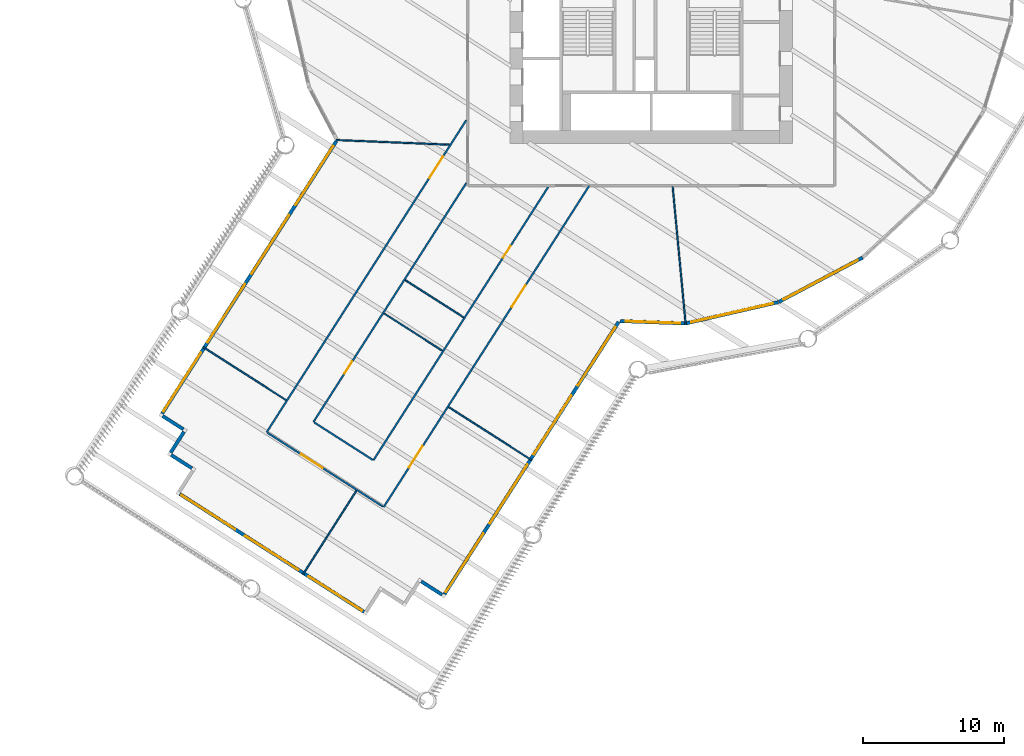
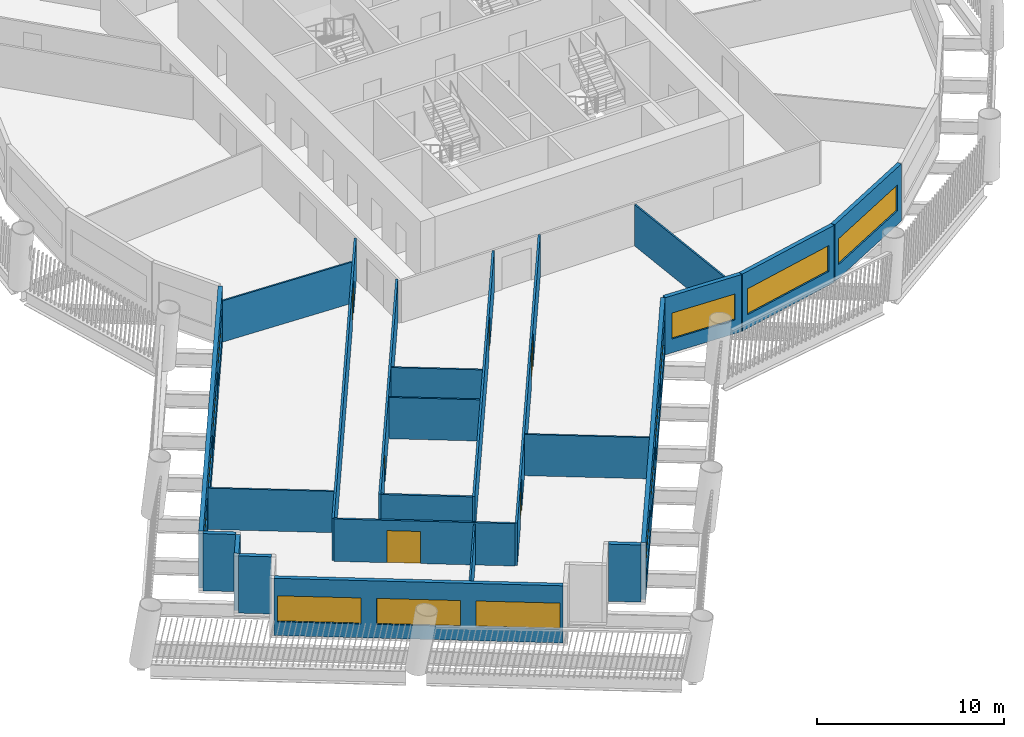
# One storey, part 3 of 15: 23 walls, 14 windows, 6 doors, 20 openings.
"""IFC4 building model written with IfcOpenShell, lengths in metres."""

from ifc_helpers import new_model, si_unit, direction, frame, frame_2d, origin, place, context, subcontext, project, spatial, rectangle, extrude, material, layer, layer_set, type_object, element, fill, save


model = new_model("IFC4")

# Units and contexts
model_context = context("Model", 3, precision=1e-05, world=origin(), true_north=direction((0.0, 1.0)))
body_context = subcontext(model_context, "Body", "Model", "MODEL_VIEW")
ifc_project = project(units=[si_unit("LENGTHUNIT", "METRE"), si_unit("AREAUNIT", "SQUARE_METRE"), si_unit("VOLUMEUNIT", "CUBIC_METRE"), si_unit("PLANEANGLEUNIT", "RADIAN"), si_unit("MASSUNIT", "GRAM", prefix="KILO")], contexts=[model_context])

# Site, building, storey
site_placement = place(None, origin())
site = spatial("IfcSite", under=ifc_project, at=site_placement, CompositionType="ELEMENT")
building_placement = place(site_placement, origin())
building = spatial("IfcBuilding", under=site, at=building_placement, Name="Tarsis Ring Headquarters", CompositionType="ELEMENT")
storey_placement = place(building_placement, frame((0.0, 0.0, 67.300048828125)))
storey = spatial("IfcBuildingStorey", under=building, at=storey_placement, Name="L14", CompositionType="ELEMENT", Elevation=67.300048828125)

# Walls
ifc_material_1 = material(Name="Gypsum board on steel studs", Category="steel")
ifc_layer_1 = layer(ifc_material_1, 0.10009765625)
ifc_layer_set_1 = layer_set([ifc_layer_1], Name="FL partition 100 unrated")
wall_type_1 = type_object("IfcWallType", Name="FL partition 100 unrated", PredefinedType="PARTITIONING", material=ifc_layer_set_1)
wall_1_placement = place(storey_placement, frame((1.51904296875, -16.069580078125, 0.0), z_axis=(0.0, 0.0, 1.0), x_axis=(0.09410416872, -0.995562356374, 0.0)))
element("IfcWall", 1, at=wall_1_placement, inside=storey, type_object=wall_type_1, Name="Partition PW3", PredefinedType="PARTITIONING", context=body_context, shape_type="SweptSolid", body=[
    extrude(rectangle(XDim=9.806640625, YDim=0.10009765625, at=frame_2d((4.9033203125, 0.0))), origin(), (0.0, 0.0, 1.0), 2.699951171875),
])
wall_2_placement = place(storey_placement, frame((-22.319091796875, -12.765625, 0.0), z_axis=(0.0, 0.0, 1.0), x_axis=(0.999159522008, -0.04099084753, 0.0)))
element("IfcWall", 2, at=wall_2_placement, inside=storey, type_object=wall_type_1, Name="Partition PW3", PredefinedType="PARTITIONING", context=body_context, shape_type="SweptSolid", body=[
    extrude(rectangle(XDim=8.016845703125, YDim=0.10009765625, at=frame_2d((4.00830078125, 0.0))), origin(), (0.0, 0.0, 1.0), 2.699951171875),
])
wall_3_placement = place(storey_placement, frame((-24.662353515625, -43.51904296875, 0.0), z_axis=(0.0, 0.0, 1.0), x_axis=(0.538767067435, 0.842454774482, 0.0)))
element("IfcWall", 3, at=wall_3_placement, inside=storey, type_object=wall_type_1, Name="Partition PW3", PredefinedType="PARTITIONING", context=body_context, shape_type="SweptSolid", body=[
    extrude(rectangle(XDim=7.01025390625, YDim=0.10009765625, at=frame_2d((3.505126953125, 0.0))), origin(), (0.0, 0.0, 1.0), 2.699951171875),
])
wall_4_placement = place(storey_placement, frame((-14.3408203125, -31.685791015625, 0.0), z_axis=(0.0, 0.0, 1.0), x_axis=(0.842460553226, -0.53875803127, 0.0)))
element("IfcWall", 4, at=wall_4_placement, inside=storey, type_object=wall_type_1, Name="Partition PW3", PredefinedType="PARTITIONING", context=body_context, shape_type="SweptSolid", body=[
    extrude(rectangle(XDim=6.9599609375, YDim=0.10009765625, at=frame_2d((3.47998046875, 0.0))), origin(), (0.0, 0.0, 1.0), 2.699951171875),
])
wall_5_placement = place(storey_placement, frame((-31.731201171875, -27.436767578125, 0.0), z_axis=(0.0, 0.0, 1.0), x_axis=(0.842450371121, -0.538773952784, 0.0)))
element("IfcWall", 5, at=wall_5_placement, inside=storey, type_object=wall_type_1, Name="Partition PW3", PredefinedType="PARTITIONING", context=body_context, shape_type="SweptSolid", body=[
    extrude(rectangle(XDim=6.959716796875, YDim=0.10009765625, at=frame_2d((3.47998046875, 0.0))), origin(), (0.0, 0.0, 1.0), 2.699951171875),
])
for number, where, z_axis, x_axis, name in (
    (6, (-17.4189453125, -22.68994140625, 0.0), (0.0, 0.0, 1.0), (0.842455045604, -0.538766643489, 0.0), "Partition PW3"),
    (7, (-18.927490234375, -25.048828125, 0.0), (0.0, 0.0, 1.0), (0.842455045604, -0.538766643489, 0.0), "Partition PW3"),
):
    element("IfcWall", number, at=place(storey_placement, frame(where, z_axis=z_axis, x_axis=x_axis)), inside=storey, type_object=wall_type_1, Name=name, PredefinedType="PARTITIONING", context=body_context, shape_type="SweptSolid", body=[
        extrude(rectangle(XDim=4.89990234375, YDim=0.10009765625, at=frame_2d((2.449951171875, 0.0))), origin(), (0.0, 0.0, 1.0), 2.699951171875),
    ])

# Wall, openings, doors
ifc_layer_2 = layer(ifc_material_1, 0.125)
ifc_layer_set_2 = layer_set([ifc_layer_2], Name="FL partition 125 EI 60 H2770")
wall_type_2 = type_object("IfcWallType", Name="FL partition 125 EI 60 H2770", PredefinedType="PARTITIONING", material=ifc_layer_set_2)
wall_6_placement = place(storey_placement, frame((-18.9521484375, -38.7666015625, 0.0), z_axis=(0.0, 0.0, 1.0), x_axis=(0.538769874421, 0.84245297935, 0.0)))
wall_6 = element("IfcWall", 8, at=wall_6_placement, inside=storey, type_object=wall_type_2, Name="Partition PW1", PredefinedType="PARTITIONING", context=body_context, shape_type="SweptSolid", body=[
    extrude(rectangle(XDim=27.024169921875, YDim=0.125, at=frame_2d((13.51220703125, 0.0))), origin(), (0.0, 0.0, 1.0), 2.77001953125),
])
opening_1_placement = place(wall_6_placement, frame((16.8349609375, 0.0, 0.0)))
opening_1 = element("IfcOpeningElement", 9, at=opening_1_placement, cuts=wall_6, Name="Opening D14.09", PredefinedType="OPENING", context=body_context, shape_type="SweptSolid", body=[
    extrude(rectangle(XDim=1.800048828125, YDim=2.10009765625, at=frame_2d((0.89990234375, 1.050048828125))), frame((0.0, 0.072509765625, 0.0), z_axis=(0.0, -1.0, 0.0), x_axis=(1.0, 0.0, 0.0)), (0.0, 0.0, 1.0), 0.14501953125),
])
opening_2_placement = place(wall_6_placement, frame((3.32275390625, 0.0, 0.0)))
opening_2 = element("IfcOpeningElement", 10, at=opening_2_placement, cuts=wall_6, Name="Opening D14.10", PredefinedType="OPENING", context=body_context, shape_type="SweptSolid", body=[
    extrude(rectangle(XDim=1.800048828125, YDim=2.10009765625, at=frame_2d((0.89990234375, 1.050048828125))), frame((0.0, 0.072509765625, 0.0), z_axis=(0.0, -1.0, 0.0), x_axis=(1.0, 0.0, 0.0)), (0.0, 0.0, 1.0), 0.14501953125),
])
ifc_material_2 = material(Name="Fire-rated timber door leaf in steel frame", Category="steel")
door_type_1 = type_object("IfcDoorType", Name="FL door FD60-1800", OperationType="DOUBLE_DOOR_SINGLE_SWING", PredefinedType="DOOR", material=ifc_material_2)
door_1_placement = place(opening_1_placement, origin())
door_1 = element("IfcDoor", 11, at=door_1_placement, inside=storey, type_object=door_type_1, Name="Door D14.09", OperationType="DOUBLE_DOOR_SINGLE_SWING", OverallHeight=2.10009765625, OverallWidth=1.800048828125, PredefinedType="DOOR", context=body_context, shape_type="SweptSolid", body=[
    extrude(rectangle(XDim=1.800048828125, YDim=2.10009765625, at=frame_2d((0.89990234375, 1.050048828125))), frame((0.0, 0.02490234375, 0.0), z_axis=(0.0, -1.0, 0.0), x_axis=(1.0, 0.0, 0.0)), (0.0, 0.0, 1.0), 0.050048828125),
])
fill(opening_1, door_1)
door_2_placement = place(opening_2_placement, origin())
door_2 = element("IfcDoor", 12, at=door_2_placement, inside=storey, type_object=door_type_1, Name="Door D14.10", OperationType="DOUBLE_DOOR_SINGLE_SWING", OverallHeight=2.10009765625, OverallWidth=1.800048828125, PredefinedType="DOOR", context=body_context, shape_type="SweptSolid", body=[
    extrude(rectangle(XDim=1.800048828125, YDim=2.10009765625, at=frame_2d((0.89990234375, 1.050048828125))), frame((0.0, 0.02490234375, 0.0), z_axis=(0.0, -1.0, 0.0), x_axis=(1.0, 0.0, 0.0)), (0.0, 0.0, 1.0), 0.050048828125),
])
fill(opening_2, door_2)

# Wall, opening, door
wall_7_placement = place(storey_placement, frame((-27.241943359375, -33.465087890625, 0.0), z_axis=(0.0, 0.0, 1.0), x_axis=(0.538773847217, 0.842450438634, 0.0)))
wall_7 = element("IfcWall", 13, at=wall_7_placement, inside=storey, type_object=wall_type_2, Name="Partition PW1", PredefinedType="PARTITIONING", context=body_context, shape_type="SweptSolid", body=[
    extrude(rectangle(XDim=26.244140625, YDim=0.125, at=frame_2d((13.1220703125, 0.0))), origin(), (0.0, 0.0, 1.0), 2.77001953125),
])
opening_3_placement = place(wall_7_placement, frame((21.38916015625, 0.0, 0.0)))
opening_3 = element("IfcOpeningElement", 14, at=opening_3_placement, cuts=wall_7, Name="Opening D14.12", PredefinedType="OPENING", context=body_context, shape_type="SweptSolid", body=[
    extrude(rectangle(XDim=1.800048828125, YDim=2.10009765625, at=frame_2d((0.89990234375, 1.050048828125))), frame((0.0, 0.072509765625, 0.0), z_axis=(0.0, -1.0, 0.0), x_axis=(1.0, 0.0, 0.0)), (0.0, 0.0, 1.0), 0.14501953125),
])
door_3_placement = place(opening_3_placement, origin())
door_3 = element("IfcDoor", 15, at=door_3_placement, inside=storey, type_object=door_type_1, Name="Door D14.12", OperationType="DOUBLE_DOOR_SINGLE_SWING", OverallHeight=2.10009765625, OverallWidth=1.800048828125, PredefinedType="DOOR", context=body_context, shape_type="SweptSolid", body=[
    extrude(rectangle(XDim=1.800048828125, YDim=2.10009765625, at=frame_2d((0.89990234375, 1.050048828125))), frame((0.0, 0.02490234375, 0.0), z_axis=(0.0, -1.0, 0.0), x_axis=(1.0, 0.0, 0.0)), (0.0, 0.0, 1.0), 0.050048828125),
])
fill(opening_3, door_3)

wall_8_placement = place(storey_placement, frame((-19.68115234375, -35.451904296875, 0.0), z_axis=(0.0, 0.0, 1.0), x_axis=(0.538773411112, 0.842450717537, 0.0)))
wall_8 = element("IfcWall", 16, at=wall_8_placement, inside=storey, type_object=wall_type_2, Name="Partition PW1", PredefinedType="PARTITIONING", context=body_context, shape_type="SweptSolid", body=[
    extrude(rectangle(XDim=22.98974609375, YDim=0.125, at=frame_2d((11.494873046875, 0.0))), origin(), (0.0, 0.0, 1.0), 2.77001953125),
])
opening_4_placement = place(wall_8_placement, frame((17.0302734375, 0.0, 0.0)))
opening_4 = element("IfcOpeningElement", 17, at=opening_4_placement, cuts=wall_8, Name="Opening D14.17", PredefinedType="OPENING", context=body_context, shape_type="SweptSolid", body=[
    extrude(rectangle(XDim=1.0, YDim=2.10009765625, at=frame_2d((0.5, 1.050048828125))), frame((0.0, 0.072509765625, 0.0), z_axis=(0.0, -1.0, 0.0), x_axis=(1.0, 0.0, 0.0)), (0.0, 0.0, 1.0), 0.14501953125),
])
door_type_2 = type_object("IfcDoorType", Name="FL door FD60-1000", OperationType="NOTDEFINED", PredefinedType="DOOR", material=ifc_material_2)
door_4_placement = place(opening_4_placement, origin())
door_4 = element("IfcDoor", 18, at=door_4_placement, inside=storey, type_object=door_type_2, Name="Door D14.17", OperationType="SINGLE_SWING_LEFT", OverallHeight=2.10009765625, OverallWidth=1.0, PredefinedType="DOOR", context=body_context, shape_type="SweptSolid", body=[
    extrude(rectangle(XDim=1.0, YDim=2.10009765625, at=frame_2d((0.5, 1.050048828125))), frame((0.0, 0.02490234375, 0.0), z_axis=(0.0, -1.0, 0.0), x_axis=(1.0, 0.0, 0.0)), (0.0, 0.0, 1.0), 0.050048828125),
])
fill(opening_4, door_4)

wall_9_placement = place(storey_placement, frame((-23.927001953125, -32.736328125, 0.0), z_axis=(0.0, 0.0, 1.0), x_axis=(0.538772982131, 0.842450991884, 0.0)))
wall_9 = element("IfcWall", 19, at=wall_9_placement, inside=storey, type_object=wall_type_2, Name="Partition PW1", PredefinedType="PARTITIONING", context=body_context, shape_type="SweptSolid", body=[
    extrude(rectangle(XDim=20.09130859375, YDim=0.125, at=frame_2d((10.045654296875, 0.0))), origin(), (0.0, 0.0, 1.0), 2.77001953125),
])
opening_5_placement = place(wall_9_placement, frame((4.084716796875, 0.0, 0.0)))
opening_5 = element("IfcOpeningElement", 20, at=opening_5_placement, cuts=wall_9, Name="Opening D14.18", PredefinedType="OPENING", context=body_context, shape_type="SweptSolid", body=[
    extrude(rectangle(XDim=1.0, YDim=2.10009765625, at=frame_2d((0.5, 1.050048828125))), frame((0.0, 0.072509765625, 0.0), z_axis=(0.0, -1.0, 0.0), x_axis=(1.0, 0.0, 0.0)), (0.0, 0.0, 1.0), 0.14501953125),
])
door_5_placement = place(opening_5_placement, origin())
door_5 = element("IfcDoor", 21, at=door_5_placement, inside=storey, type_object=door_type_2, Name="Door D14.18", OperationType="SINGLE_SWING_RIGHT", OverallHeight=2.10009765625, OverallWidth=1.0, PredefinedType="DOOR", context=body_context, shape_type="SweptSolid", body=[
    extrude(rectangle(XDim=1.0, YDim=2.10009765625, at=frame_2d((0.5, 1.050048828125))), frame((0.0, 0.02490234375, 0.0), z_axis=(0.0, -1.0, 0.0), x_axis=(1.0, 0.0, 0.0)), (0.0, 0.0, 1.0), 0.050048828125),
])
fill(opening_5, door_5)

wall_10_placement = place(storey_placement, frame((-27.19140625, -33.49755859375, 0.0), z_axis=(0.0, 0.0, 1.0), x_axis=(0.842456551221, -0.538764289189, 0.0)))
wall_10 = element("IfcWall", 22, at=wall_10_placement, inside=storey, type_object=wall_type_2, Name="Partition PW1", PredefinedType="PARTITIONING", context=body_context, shape_type="SweptSolid", body=[
    extrude(rectangle(XDim=9.719970703125, YDim=0.125, at=frame_2d((4.85986328125, 0.0))), origin(), (0.0, 0.0, 1.0), 2.77001953125),
])
opening_6_placement = place(wall_10_placement, frame((2.833251953125, 0.0, 0.0)))
opening_6 = element("IfcOpeningElement", 23, at=opening_6_placement, cuts=wall_10, Name="Opening D14.11", PredefinedType="OPENING", context=body_context, shape_type="SweptSolid", body=[
    extrude(rectangle(XDim=1.800048828125, YDim=2.10009765625, at=frame_2d((0.89990234375, 1.050048828125))), frame((0.0, 0.072509765625, 0.0), z_axis=(0.0, -1.0, 0.0), x_axis=(1.0, 0.0, 0.0)), (0.0, 0.0, 1.0), 0.14501953125),
])
door_6_placement = place(opening_6_placement, origin())
door_6 = element("IfcDoor", 24, at=door_6_placement, inside=storey, type_object=door_type_1, Name="Door D14.11", OperationType="DOUBLE_DOOR_SINGLE_SWING", OverallHeight=2.10009765625, OverallWidth=1.800048828125, PredefinedType="DOOR", context=body_context, shape_type="SweptSolid", body=[
    extrude(rectangle(XDim=1.800048828125, YDim=2.10009765625, at=frame_2d((0.89990234375, 1.050048828125))), frame((0.0, 0.02490234375, 0.0), z_axis=(0.0, -1.0, 0.0), x_axis=(1.0, 0.0, 0.0)), (0.0, 0.0, 1.0), 0.050048828125),
])
fill(opening_6, door_6)

# Wall
wall_11_placement = place(storey_placement, frame((-23.87646484375, -32.768798828125, 0.0), z_axis=(0.0, 0.0, 1.0), x_axis=(0.842457902984, -0.538762175455, 0.0)))
element("IfcWall", 25, at=wall_11_placement, inside=storey, type_object=wall_type_2, Name="Partition PW1", PredefinedType="PARTITIONING", context=body_context, shape_type="SweptSolid", body=[
    extrude(rectangle(XDim=4.919921875, YDim=0.125, at=frame_2d((2.4599609375, 0.0))), origin(), (0.0, 0.0, 1.0), 2.77001953125),
])

# Wall, openings, windows
ifc_material_3 = material(Name="Terracotta clad insulated panel wall", Category="masonry")
ifc_layer_3 = layer(ifc_material_3, 0.25)
ifc_layer_set_3 = layer_set([ifc_layer_3], Name="Facade wall terracotta panel 250")
wall_type_3 = type_object("IfcWallType", Name="Facade wall terracotta panel 250", PredefinedType="STANDARD", material=ifc_layer_set_3)
wall_12_placement = place(storey_placement, frame((-22.30322265625, -12.83349609375, 0.0), z_axis=(0.0, 0.0, 1.0), x_axis=(-0.538765933074, -0.842455499928, 0.0)))
wall_12 = element("IfcWall", 26, at=wall_12_placement, inside=storey, type_object=wall_type_3, Name="External wall L14-06", PredefinedType="STANDARD", context=body_context, shape_type="SweptSolid", body=[
    extrude(rectangle(XDim=22.922119140625, YDim=0.25, at=frame_2d((11.4609375, 0.0))), origin(), (0.0, 0.0, 1.0), 3.739990234375),
])
opening_7_placement = place(wall_12_placement, frame((0.42138671875, 0.0, 0.89990234375)))
opening_7 = element("IfcOpeningElement", 27, at=opening_7_placement, cuts=wall_12, Name="Opening WN05", PredefinedType="OPENING", context=body_context, shape_type="SweptSolid", body=[
    extrude(rectangle(XDim=4.949951171875, YDim=1.699951171875, at=frame_2d((2.47509765625, 0.85009765625))), frame((0.0, 0.135009765625, 0.0), z_axis=(0.0, -1.0, 0.0), x_axis=(1.0, 0.0, 0.0)), (0.0, 0.0, 1.0), 0.27001953125),
])
opening_8_placement = place(wall_12_placement, frame((6.214599609375, 0.0, 0.89990234375)))
opening_8 = element("IfcOpeningElement", 28, at=opening_8_placement, cuts=wall_12, Name="Opening WN05", PredefinedType="OPENING", context=body_context, shape_type="SweptSolid", body=[
    extrude(rectangle(XDim=4.949951171875, YDim=1.699951171875, at=frame_2d((2.47509765625, 0.85009765625))), frame((0.0, 0.135009765625, 0.0), z_axis=(0.0, -1.0, 0.0), x_axis=(1.0, 0.0, 0.0)), (0.0, 0.0, 1.0), 0.27001953125),
])
opening_9_placement = place(wall_12_placement, frame((12.007568359375, 0.0, 0.89990234375)))
opening_9 = element("IfcOpeningElement", 29, at=opening_9_placement, cuts=wall_12, Name="Opening WN05", PredefinedType="OPENING", context=body_context, shape_type="SweptSolid", body=[
    extrude(rectangle(XDim=4.949951171875, YDim=1.699951171875, at=frame_2d((2.47509765625, 0.85009765625))), frame((0.0, 0.135009765625, 0.0), z_axis=(0.0, -1.0, 0.0), x_axis=(1.0, 0.0, 0.0)), (0.0, 0.0, 1.0), 0.27001953125),
])
opening_10_placement = place(wall_12_placement, frame((17.800537109375, 0.0, 0.89990234375)))
opening_10 = element("IfcOpeningElement", 30, at=opening_10_placement, cuts=wall_12, Name="Opening WN05", PredefinedType="OPENING", context=body_context, shape_type="SweptSolid", body=[
    extrude(rectangle(XDim=4.949951171875, YDim=1.699951171875, at=frame_2d((2.47509765625, 0.85009765625))), frame((0.0, 0.135009765625, 0.0), z_axis=(0.0, -1.0, 0.0), x_axis=(1.0, 0.0, 0.0)), (0.0, 0.0, 1.0), 0.27001953125),
])
ifc_material_4 = material(Name="Aluminium framed double glazing", Category="aluminium")
window_type_1 = type_object("IfcWindowType", Name="Facade window 4950 x 1700", PartitioningType="SINGLE_PANEL", PredefinedType="WINDOW", material=ifc_material_4)
window_1_placement = place(opening_7_placement, origin())
window_1 = element("IfcWindow", 31, at=window_1_placement, inside=storey, type_object=window_type_1, Name="Window L14-06.1", OverallHeight=1.699951171875, OverallWidth=4.949951171875, PartitioningType="SINGLE_PANEL", PredefinedType="WINDOW", context=body_context, shape_type="SweptSolid", body=[
    extrude(rectangle(XDim=4.949951171875, YDim=1.699951171875, at=frame_2d((2.47509765625, 0.85009765625))), frame((0.0, 0.030029296875, 0.0), z_axis=(0.0, -1.0, 0.0), x_axis=(1.0, 0.0, 0.0)), (0.0, 0.0, 1.0), 0.06005859375),
])
fill(opening_7, window_1)
window_2_placement = place(opening_8_placement, origin())
window_2 = element("IfcWindow", 32, at=window_2_placement, inside=storey, type_object=window_type_1, Name="Window L14-06.2", OverallHeight=1.699951171875, OverallWidth=4.949951171875, PartitioningType="SINGLE_PANEL", PredefinedType="WINDOW", context=body_context, shape_type="SweptSolid", body=[
    extrude(rectangle(XDim=4.949951171875, YDim=1.699951171875, at=frame_2d((2.47509765625, 0.85009765625))), frame((0.0, 0.030029296875, 0.0), z_axis=(0.0, -1.0, 0.0), x_axis=(1.0, 0.0, 0.0)), (0.0, 0.0, 1.0), 0.06005859375),
])
fill(opening_8, window_2)
window_3_placement = place(opening_9_placement, origin())
window_3 = element("IfcWindow", 33, at=window_3_placement, inside=storey, type_object=window_type_1, Name="Window L14-06.3", OverallHeight=1.699951171875, OverallWidth=4.949951171875, PartitioningType="SINGLE_PANEL", PredefinedType="WINDOW", context=body_context, shape_type="SweptSolid", body=[
    extrude(rectangle(XDim=4.949951171875, YDim=1.699951171875, at=frame_2d((2.47509765625, 0.85009765625))), frame((0.0, 0.030029296875, 0.0), z_axis=(0.0, -1.0, 0.0), x_axis=(1.0, 0.0, 0.0)), (0.0, 0.0, 1.0), 0.06005859375),
])
fill(opening_9, window_3)
window_4_placement = place(opening_10_placement, origin())
window_4 = element("IfcWindow", 34, at=window_4_placement, inside=storey, type_object=window_type_1, Name="Window L14-06.4", OverallHeight=1.699951171875, OverallWidth=4.949951171875, PartitioningType="SINGLE_PANEL", PredefinedType="WINDOW", context=body_context, shape_type="SweptSolid", body=[
    extrude(rectangle(XDim=4.949951171875, YDim=1.699951171875, at=frame_2d((2.47509765625, 0.85009765625))), frame((0.0, 0.030029296875, 0.0), z_axis=(0.0, -1.0, 0.0), x_axis=(1.0, 0.0, 0.0)), (0.0, 0.0, 1.0), 0.06005859375),
])
fill(opening_10, window_4)

# Walls
for number, where, z_axis, x_axis, name in (
    (35, (-34.614990234375, -32.31689453125, 0.0), (0.0, 0.0, 1.0), (0.842458831665, -0.53876072328, 0.0), "External wall L14-07"),
    (36, (-33.102783203125, -33.432373046875, 0.0), (0.0, 0.0, 1.0), (-0.538661701668, -0.842522148763, 0.0), "External wall L14-08"),
    (37, (-34.007568359375, -35.079345703125, 0.0), (0.0, 0.0, 1.0), (0.842458831665, -0.53876072328, 0.0), "External wall L14-09"),
):
    element("IfcWall", number, at=place(storey_placement, frame(where, z_axis=z_axis, x_axis=x_axis)), inside=storey, type_object=wall_type_3, Name=name, PredefinedType="STANDARD", context=body_context, shape_type="SweptSolid", body=[
        extrude(rectangle(XDim=1.75, YDim=0.25, at=frame_2d((0.875, 0.0))), origin(), (0.0, 0.0, 1.0), 3.739990234375),
    ])

# Wall, openings, windows
wall_13_placement = place(storey_placement, frame((-33.400146484375, -37.841796875, 0.0), z_axis=(0.0, 0.0, 1.0), x_axis=(0.842445851901, -0.538781019167, 0.0)))
wall_13 = element("IfcWall", 38, at=wall_13_placement, inside=storey, type_object=wall_type_3, Name="External wall L14-11", PredefinedType="STANDARD", context=body_context, shape_type="SweptSolid", body=[
    extrude(rectangle(XDim=15.5, YDim=0.25, at=frame_2d((7.75, 0.0))), origin(), (0.0, 0.0, 1.0), 3.739990234375),
])
opening_11_placement = place(wall_13_placement, frame((0.166748046875, 0.0, 0.89990234375)))
opening_11 = element("IfcOpeningElement", 39, at=opening_11_placement, cuts=wall_13, Name="Opening WN04", PredefinedType="OPENING", context=body_context, shape_type="SweptSolid", body=[
    extrude(rectangle(XDim=4.5, YDim=1.699951171875, at=frame_2d((2.25, 0.85009765625))), frame((0.0, 0.135009765625, 0.0), z_axis=(0.0, -1.0, 0.0), x_axis=(1.0, 0.0, 0.0)), (0.0, 0.0, 1.0), 0.27001953125),
])
opening_12_placement = place(wall_13_placement, frame((5.5, 0.0, 0.89990234375)))
opening_12 = element("IfcOpeningElement", 40, at=opening_12_placement, cuts=wall_13, Name="Opening WN04", PredefinedType="OPENING", context=body_context, shape_type="SweptSolid", body=[
    extrude(rectangle(XDim=4.5, YDim=1.699951171875, at=frame_2d((2.25, 0.85009765625))), frame((0.0, 0.135009765625, 0.0), z_axis=(0.0, -1.0, 0.0), x_axis=(1.0, 0.0, 0.0)), (0.0, 0.0, 1.0), 0.27001953125),
])
opening_13_placement = place(wall_13_placement, frame((10.833251953125, 0.0, 0.89990234375)))
opening_13 = element("IfcOpeningElement", 41, at=opening_13_placement, cuts=wall_13, Name="Opening WN04", PredefinedType="OPENING", context=body_context, shape_type="SweptSolid", body=[
    extrude(rectangle(XDim=4.5, YDim=1.699951171875, at=frame_2d((2.25, 0.85009765625))), frame((0.0, 0.135009765625, 0.0), z_axis=(0.0, -1.0, 0.0), x_axis=(1.0, 0.0, 0.0)), (0.0, 0.0, 1.0), 0.27001953125),
])
window_type_2 = type_object("IfcWindowType", Name="Facade window 4500 x 1700", PartitioningType="SINGLE_PANEL", PredefinedType="WINDOW", material=ifc_material_4)
window_5_placement = place(opening_11_placement, origin())
window_5 = element("IfcWindow", 42, at=window_5_placement, inside=storey, type_object=window_type_2, Name="Window L14-11.1", OverallHeight=1.699951171875, OverallWidth=4.5, PartitioningType="SINGLE_PANEL", PredefinedType="WINDOW", context=body_context, shape_type="SweptSolid", body=[
    extrude(rectangle(XDim=4.5, YDim=1.699951171875, at=frame_2d((2.25, 0.85009765625))), frame((0.0, 0.030029296875, 0.0), z_axis=(0.0, -1.0, 0.0), x_axis=(1.0, 0.0, 0.0)), (0.0, 0.0, 1.0), 0.06005859375),
])
fill(opening_11, window_5)
window_6_placement = place(opening_12_placement, origin())
window_6 = element("IfcWindow", 43, at=window_6_placement, inside=storey, type_object=window_type_2, Name="Window L14-11.2", OverallHeight=1.699951171875, OverallWidth=4.5, PartitioningType="SINGLE_PANEL", PredefinedType="WINDOW", context=body_context, shape_type="SweptSolid", body=[
    extrude(rectangle(XDim=4.5, YDim=1.699951171875, at=frame_2d((2.25, 0.85009765625))), frame((0.0, 0.030029296875, 0.0), z_axis=(0.0, -1.0, 0.0), x_axis=(1.0, 0.0, 0.0)), (0.0, 0.0, 1.0), 0.06005859375),
])
fill(opening_12, window_6)
window_7_placement = place(opening_13_placement, origin())
window_7 = element("IfcWindow", 44, at=window_7_placement, inside=storey, type_object=window_type_2, Name="Window L14-11.3", OverallHeight=1.699951171875, OverallWidth=4.5, PartitioningType="SINGLE_PANEL", PredefinedType="WINDOW", context=body_context, shape_type="SweptSolid", body=[
    extrude(rectangle(XDim=4.5, YDim=1.699951171875, at=frame_2d((2.25, 0.85009765625))), frame((0.0, 0.030029296875, 0.0), z_axis=(0.0, -1.0, 0.0), x_axis=(1.0, 0.0, 0.0)), (0.0, 0.0, 1.0), 0.06005859375),
])
fill(opening_13, window_7)

# Wall
wall_14_placement = place(storey_placement, frame((-16.29150390625, -44.03515625, 0.0), z_axis=(0.0, 0.0, 1.0), x_axis=(0.84241833194, -0.538824047359, 0.0)))
element("IfcWall", 45, at=wall_14_placement, inside=storey, type_object=wall_type_3, Name="External wall L14-15", PredefinedType="STANDARD", context=body_context, shape_type="SweptSolid", body=[
    extrude(rectangle(XDim=1.749755859375, YDim=0.25, at=frame_2d((0.875, 0.0))), origin(), (0.0, 0.0, 1.0), 3.739990234375),
])

# Wall, openings, windows
wall_15_placement = place(storey_placement, frame((-14.64453125, -44.940185546875, 0.0), z_axis=(0.0, 0.0, 1.0), x_axis=(0.538761437424, 0.842458374963, 0.0)))
wall_15 = element("IfcWall", 46, at=wall_15_placement, inside=storey, type_object=wall_type_3, Name="External wall L14-16", PredefinedType="STANDARD", context=body_context, shape_type="SweptSolid", body=[
    extrude(rectangle(XDim=22.9013671875, YDim=0.25, at=frame_2d((11.45068359375, 0.0))), origin(), (0.0, 0.0, 1.0), 3.739990234375),
])
opening_14_placement = place(wall_15_placement, frame((0.1689453125, 0.0, 0.89990234375)))
opening_14 = element("IfcOpeningElement", 47, at=opening_14_placement, cuts=wall_15, Name="Opening WN05", PredefinedType="OPENING", context=body_context, shape_type="SweptSolid", body=[
    extrude(rectangle(XDim=4.949951171875, YDim=1.699951171875, at=frame_2d((2.47509765625, 0.85009765625))), frame((0.0, 0.135009765625, 0.0), z_axis=(0.0, -1.0, 0.0), x_axis=(1.0, 0.0, 0.0)), (0.0, 0.0, 1.0), 0.27001953125),
])
opening_15_placement = place(wall_15_placement, frame((5.956787109375, 0.0, 0.89990234375)))
opening_15 = element("IfcOpeningElement", 48, at=opening_15_placement, cuts=wall_15, Name="Opening WN05", PredefinedType="OPENING", context=body_context, shape_type="SweptSolid", body=[
    extrude(rectangle(XDim=4.949951171875, YDim=1.699951171875, at=frame_2d((2.47509765625, 0.85009765625))), frame((0.0, 0.135009765625, 0.0), z_axis=(0.0, -1.0, 0.0), x_axis=(1.0, 0.0, 0.0)), (0.0, 0.0, 1.0), 0.27001953125),
])
opening_16_placement = place(wall_15_placement, frame((11.74462890625, 0.0, 0.89990234375)))
opening_16 = element("IfcOpeningElement", 49, at=opening_16_placement, cuts=wall_15, Name="Opening WN05", PredefinedType="OPENING", context=body_context, shape_type="SweptSolid", body=[
    extrude(rectangle(XDim=4.949951171875, YDim=1.699951171875, at=frame_2d((2.47509765625, 0.85009765625))), frame((0.0, 0.135009765625, 0.0), z_axis=(0.0, -1.0, 0.0), x_axis=(1.0, 0.0, 0.0)), (0.0, 0.0, 1.0), 0.27001953125),
])
opening_17_placement = place(wall_15_placement, frame((17.532470703125, 0.0, 0.89990234375)))
opening_17 = element("IfcOpeningElement", 50, at=opening_17_placement, cuts=wall_15, Name="Opening WN05", PredefinedType="OPENING", context=body_context, shape_type="SweptSolid", body=[
    extrude(rectangle(XDim=4.949951171875, YDim=1.699951171875, at=frame_2d((2.47509765625, 0.85009765625))), frame((0.0, 0.135009765625, 0.0), z_axis=(0.0, -1.0, 0.0), x_axis=(1.0, 0.0, 0.0)), (0.0, 0.0, 1.0), 0.27001953125),
])
window_8_placement = place(opening_14_placement, origin())
window_8 = element("IfcWindow", 51, at=window_8_placement, inside=storey, type_object=window_type_1, Name="Window L14-16.1", OverallHeight=1.699951171875, OverallWidth=4.949951171875, PartitioningType="SINGLE_PANEL", PredefinedType="WINDOW", context=body_context, shape_type="SweptSolid", body=[
    extrude(rectangle(XDim=4.949951171875, YDim=1.699951171875, at=frame_2d((2.47509765625, 0.85009765625))), frame((0.0, 0.030029296875, 0.0), z_axis=(0.0, -1.0, 0.0), x_axis=(1.0, 0.0, 0.0)), (0.0, 0.0, 1.0), 0.06005859375),
])
fill(opening_14, window_8)
window_9_placement = place(opening_15_placement, origin())
window_9 = element("IfcWindow", 52, at=window_9_placement, inside=storey, type_object=window_type_1, Name="Window L14-16.2", OverallHeight=1.699951171875, OverallWidth=4.949951171875, PartitioningType="SINGLE_PANEL", PredefinedType="WINDOW", context=body_context, shape_type="SweptSolid", body=[
    extrude(rectangle(XDim=4.949951171875, YDim=1.699951171875, at=frame_2d((2.47509765625, 0.85009765625))), frame((0.0, 0.030029296875, 0.0), z_axis=(0.0, -1.0, 0.0), x_axis=(1.0, 0.0, 0.0)), (0.0, 0.0, 1.0), 0.06005859375),
])
fill(opening_15, window_9)
window_10_placement = place(opening_16_placement, origin())
window_10 = element("IfcWindow", 53, at=window_10_placement, inside=storey, type_object=window_type_1, Name="Window L14-16.3", OverallHeight=1.699951171875, OverallWidth=4.949951171875, PartitioningType="SINGLE_PANEL", PredefinedType="WINDOW", context=body_context, shape_type="SweptSolid", body=[
    extrude(rectangle(XDim=4.949951171875, YDim=1.699951171875, at=frame_2d((2.47509765625, 0.85009765625))), frame((0.0, 0.030029296875, 0.0), z_axis=(0.0, -1.0, 0.0), x_axis=(1.0, 0.0, 0.0)), (0.0, 0.0, 1.0), 0.06005859375),
])
fill(opening_16, window_10)
window_11_placement = place(opening_17_placement, origin())
window_11 = element("IfcWindow", 54, at=window_11_placement, inside=storey, type_object=window_type_1, Name="Window L14-16.4", OverallHeight=1.699951171875, OverallWidth=4.949951171875, PartitioningType="SINGLE_PANEL", PredefinedType="WINDOW", context=body_context, shape_type="SweptSolid", body=[
    extrude(rectangle(XDim=4.949951171875, YDim=1.699951171875, at=frame_2d((2.47509765625, 0.85009765625))), frame((0.0, 0.030029296875, 0.0), z_axis=(0.0, -1.0, 0.0), x_axis=(1.0, 0.0, 0.0)), (0.0, 0.0, 1.0), 0.06005859375),
])
fill(opening_17, window_11)

# Wall, opening, window
wall_16_placement = place(storey_placement, frame((-2.1962890625, -25.58935546875, 0.0), z_axis=(0.0, 0.0, 1.0), x_axis=(0.999328596804, -0.036638171494, 0.0)))
wall_16 = element("IfcWall", 55, at=wall_16_placement, inside=storey, type_object=wall_type_3, Name="External wall L14-17", PredefinedType="STANDARD", context=body_context, shape_type="SweptSolid", body=[
    extrude(rectangle(XDim=4.617919921875, YDim=0.25, at=frame_2d((2.30908203125, 0.0))), origin(), (0.0, 0.0, 1.0), 3.739990234375),
])
opening_18_placement = place(wall_16_placement, frame((0.400390625, 0.0, 0.89990234375)))
opening_18 = element("IfcOpeningElement", 56, at=opening_18_placement, cuts=wall_16, Name="Opening WN02", PredefinedType="OPENING", context=body_context, shape_type="SweptSolid", body=[
    extrude(rectangle(XDim=3.85009765625, YDim=1.699951171875, at=frame_2d((1.925048828125, 0.85009765625))), frame((0.0, 0.135009765625, 0.0), z_axis=(0.0, -1.0, 0.0), x_axis=(1.0, 0.0, 0.0)), (0.0, 0.0, 1.0), 0.27001953125),
])
window_type_3 = type_object("IfcWindowType", Name="Facade window 3850 x 1700", PartitioningType="SINGLE_PANEL", PredefinedType="WINDOW", material=ifc_material_4)
window_12_placement = place(opening_18_placement, origin())
window_12 = element("IfcWindow", 57, at=window_12_placement, inside=storey, type_object=window_type_3, Name="Window L14-17.1", OverallHeight=1.699951171875, OverallWidth=3.85009765625, PartitioningType="SINGLE_PANEL", PredefinedType="WINDOW", context=body_context, shape_type="SweptSolid", body=[
    extrude(rectangle(XDim=3.85009765625, YDim=1.699951171875, at=frame_2d((1.925048828125, 0.85009765625))), frame((0.0, 0.030029296875, 0.0), z_axis=(0.0, -1.0, 0.0), x_axis=(1.0, 0.0, 0.0)), (0.0, 0.0, 1.0), 0.06005859375),
])
fill(opening_18, window_12)

wall_17_placement = place(storey_placement, frame((2.450927734375, -25.75537109375, 0.0), z_axis=(0.0, 0.0, 1.0), x_axis=(0.974765094903, 0.223233083924, 0.0)))
wall_17 = element("IfcWall", 58, at=wall_17_placement, inside=storey, type_object=wall_type_3, Name="External wall L14-18", PredefinedType="STANDARD", context=body_context, shape_type="SweptSolid", body=[
    extrude(rectangle(XDim=6.7216796875, YDim=0.25, at=frame_2d((3.36083984375, 0.0))), origin(), (0.0, 0.0, 1.0), 3.739990234375),
])
opening_19_placement = place(wall_17_placement, frame((0.3857421875, 0.0, 0.89990234375)))
opening_19 = element("IfcOpeningElement", 59, at=opening_19_placement, cuts=wall_17, Name="Opening WN07", PredefinedType="OPENING", context=body_context, shape_type="SweptSolid", body=[
    extrude(rectangle(XDim=5.949951171875, YDim=1.699951171875, at=frame_2d((2.97509765625, 0.85009765625))), frame((0.0, 0.135009765625, 0.0), z_axis=(0.0, -1.0, 0.0), x_axis=(1.0, 0.0, 0.0)), (0.0, 0.0, 1.0), 0.27001953125),
])
window_type_4 = type_object("IfcWindowType", Name="Facade window 5950 x 1700", PartitioningType="SINGLE_PANEL", PredefinedType="WINDOW", material=ifc_material_4)
window_13_placement = place(opening_19_placement, origin())
window_13 = element("IfcWindow", 60, at=window_13_placement, inside=storey, type_object=window_type_4, Name="Window L14-18.1", OverallHeight=1.699951171875, OverallWidth=5.949951171875, PartitioningType="SINGLE_PANEL", PredefinedType="WINDOW", context=body_context, shape_type="SweptSolid", body=[
    extrude(rectangle(XDim=5.949951171875, YDim=1.699951171875, at=frame_2d((2.97509765625, 0.85009765625))), frame((0.0, 0.030029296875, 0.0), z_axis=(0.0, -1.0, 0.0), x_axis=(1.0, 0.0, 0.0)), (0.0, 0.0, 1.0), 0.06005859375),
])
fill(opening_19, window_13)

wall_18_placement = place(storey_placement, frame((9.033447265625, -24.243408203125, 0.0), z_axis=(0.0, 0.0, 1.0), x_axis=(0.883759642184, 0.467941123269, 0.0)))
wall_18 = element("IfcWall", 61, at=wall_18_placement, inside=storey, type_object=wall_type_3, Name="External wall L14-19", PredefinedType="STANDARD", context=body_context, shape_type="SweptSolid", body=[
    extrude(rectangle(XDim=6.721435546875, YDim=0.25, at=frame_2d((3.36083984375, 0.0))), origin(), (0.0, 0.0, 1.0), 3.739990234375),
])
opening_20_placement = place(wall_18_placement, frame((0.3857421875, 0.0, 0.89990234375)))
opening_20 = element("IfcOpeningElement", 62, at=opening_20_placement, cuts=wall_18, Name="Opening WN07", PredefinedType="OPENING", context=body_context, shape_type="SweptSolid", body=[
    extrude(rectangle(XDim=5.949951171875, YDim=1.699951171875, at=frame_2d((2.97509765625, 0.85009765625))), frame((0.0, 0.135009765625, 0.0), z_axis=(0.0, -1.0, 0.0), x_axis=(1.0, 0.0, 0.0)), (0.0, 0.0, 1.0), 0.27001953125),
])
window_14_placement = place(opening_20_placement, origin())
window_14 = element("IfcWindow", 63, at=window_14_placement, inside=storey, type_object=window_type_4, Name="Window L14-19.1", OverallHeight=1.699951171875, OverallWidth=5.949951171875, PartitioningType="SINGLE_PANEL", PredefinedType="WINDOW", context=body_context, shape_type="SweptSolid", body=[
    extrude(rectangle(XDim=5.949951171875, YDim=1.699951171875, at=frame_2d((2.97509765625, 0.85009765625))), frame((0.0, 0.030029296875, 0.0), z_axis=(0.0, -1.0, 0.0), x_axis=(1.0, 0.0, 0.0)), (0.0, 0.0, 1.0), 0.06005859375),
])
fill(opening_20, window_14)

save(model, "model.ifc")
